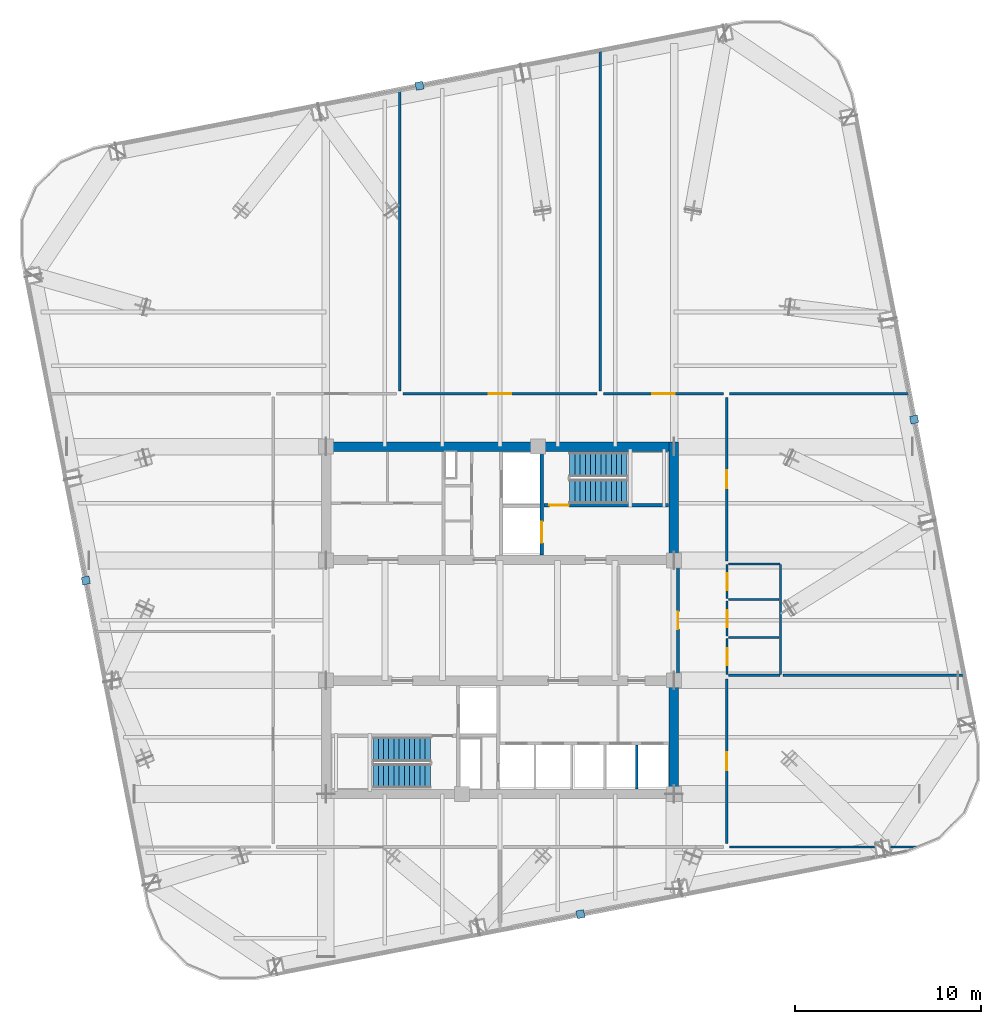
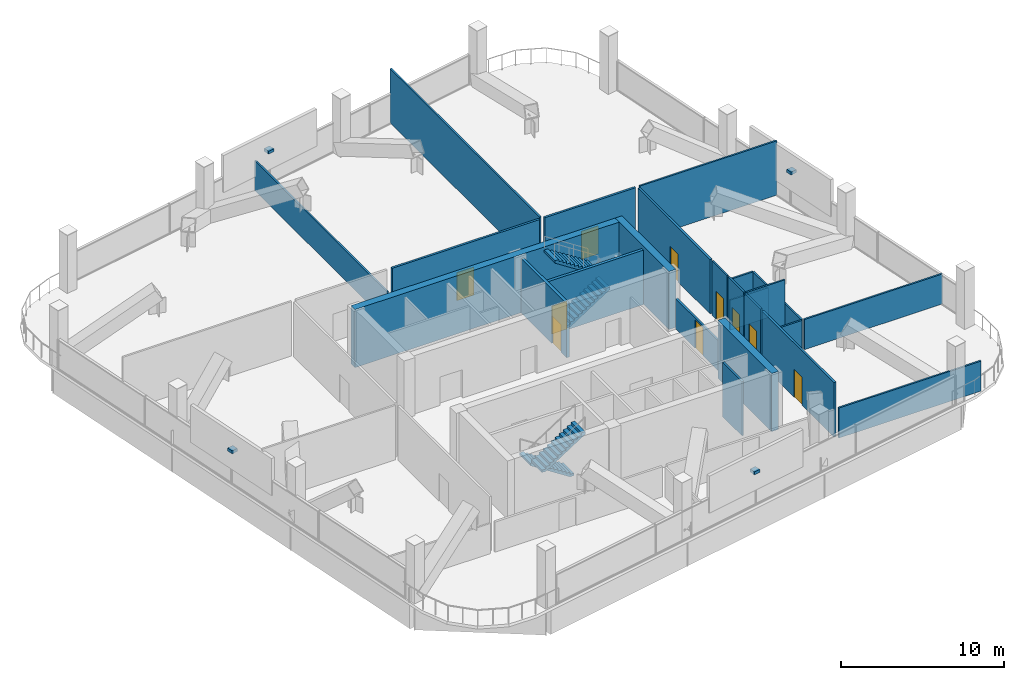
# One storey, part 22 of 26: 24 walls, 10 doors, 4 discrete accessories, 4 stair flights, 10 openings, 2 elements without a shape of their own.
"""IFC4 building model written with IfcOpenShell, lengths in metres."""

from ifc_helpers import new_model, si_unit, direction, frame, frame_2d, origin, origin_2d, place, context, subcontext, project, spatial, polyline, rectangle, outline, extrude, material, layer, layer_set, type_object, element, fill, aggregate, save


model = new_model("IFC4")

# Units and contexts
model_context = context("Model", 3, precision=1e-05, world=origin(), true_north=direction((0.0, 1.0)))
body_context = subcontext(model_context, "Body", "Model", "MODEL_VIEW")
ifc_project = project(units=[si_unit("LENGTHUNIT", "METRE"), si_unit("AREAUNIT", "SQUARE_METRE"), si_unit("VOLUMEUNIT", "CUBIC_METRE"), si_unit("PLANEANGLEUNIT", "RADIAN"), si_unit("MASSUNIT", "GRAM", prefix="KILO")], contexts=[model_context])

# Site, building, storey
site_placement = place(None, origin())
site = spatial("IfcSite", under=ifc_project, at=site_placement, CompositionType="ELEMENT")
building_placement = place(site_placement, origin())
building = spatial("IfcBuilding", under=site, at=building_placement, Name="Qhalaya Broadcast Tower", CompositionType="ELEMENT")
storey_placement = place(building_placement, frame((0.0, 0.0, 140.25)))
storey = spatial("IfcBuildingStorey", under=building, at=storey_placement, Name="L41", CompositionType="ELEMENT", Elevation=140.25)

# Wall, opening, door
ifc_material_1 = material(Name="Gypsum Acoustic Partition")
ifc_layer_1 = layer(ifc_material_1, 0.14990234375, Name="Gypsum Acoustic Partition")
ifc_layer_set_1 = layer_set([ifc_layer_1], Name="Gypsum Acoustic Partition")
wall_type_1 = type_object("IfcWallType", Name="Corridor & Tenancy Acoustic Partition 150", PredefinedType="PARTITIONING", material=ifc_layer_set_1)
wall_1_placement = place(storey_placement, frame((9.580078125, -2.320068359375, 0.0), z_axis=(0.0, 0.0, 1.0), x_axis=(0.0, 1.0, 0.0)))
wall_1 = element("IfcWall", 1, at=wall_1_placement, inside=storey, type_object=wall_type_1, Name="L41 Partition Wall W-ICHE", PredefinedType="PARTITIONING", context=body_context, shape_type="SweptSolid", body=[
    extrude(rectangle(XDim=5.840087890625, YDim=0.14990234375, at=frame_2d((2.919921875, 0.0))), origin(), (0.0, 0.0, 1.0), 2.25),
])
opening_1_placement = place(wall_1_placement, frame((2.445068359375, 0.0, 0.0)))
opening_1 = element("IfcOpeningElement", 2, at=opening_1_placement, cuts=wall_1, Name="Opening D10", PredefinedType="OPENING", context=body_context, shape_type="SweptSolid", body=[
    extrude(rectangle(XDim=0.949951171875, YDim=2.10009765625, at=frame_2d((0.47509765625, 1.050048828125))), frame((0.0, 0.0869140625, 0.0), z_axis=(0.0, -1.0, 0.0), x_axis=(1.0, 0.0, 0.0)), (0.0, 0.0, 1.0), 0.173828125),
])
ifc_material_2 = material(Name="Timber Veneer Acoustic Door", Category="wood")
door_type_1 = type_object("IfcDoorType", Name="Cellular Office & Edit Booth Door D10", OperationType="NOTDEFINED", PredefinedType="DOOR", material=ifc_material_2)
door_1_placement = place(opening_1_placement, origin())
door_1 = element("IfcDoor", 3, at=door_1_placement, inside=storey, type_object=door_type_1, Name="L41 Door D-ICHE", OperationType="SINGLE_SWING_RIGHT", OverallHeight=2.10009765625, OverallWidth=0.949951171875, PredefinedType="DOOR", context=body_context, shape_type="SweptSolid", body=[
    extrude(rectangle(XDim=0.949951171875, YDim=2.10009765625, at=frame_2d((0.47509765625, 1.050048828125))), frame((0.0, 0.02490234375, 0.0), z_axis=(0.0, -1.0, 0.0), x_axis=(1.0, 0.0, 0.0)), (0.0, 0.0, 1.0), 0.050048828125),
])
fill(opening_1, door_1)

wall_2_placement = place(storey_placement, frame((-5.219970703125, 12.800048828125, 0.0), z_axis=(0.0, 0.0, 1.0), x_axis=(1.0, 0.0, 0.0)))
wall_2 = element("IfcWall", 4, at=wall_2_placement, inside=storey, type_object=wall_type_1, Name="L41 Partition Wall W-COR-02", PredefinedType="PARTITIONING", context=body_context, shape_type="SweptSolid", body=[
    extrude(rectangle(XDim=10.43994140625, YDim=0.14990234375, at=frame_2d((5.219970703125, 0.0))), origin(), (0.0, 0.0, 1.0), 4.070068359375),
])
opening_2_placement = place(wall_2_placement, frame((4.6201171875, 0.0, 0.0)))
opening_2 = element("IfcOpeningElement", 5, at=opening_2_placement, cuts=wall_2, Name="Opening D11", PredefinedType="OPENING", context=body_context, shape_type="SweptSolid", body=[
    extrude(rectangle(XDim=1.199951171875, YDim=2.10009765625, at=frame_2d((0.60009765625, 1.050048828125))), frame((0.0, 0.0869140625, 0.0), z_axis=(0.0, -1.0, 0.0), x_axis=(1.0, 0.0, 0.0)), (0.0, 0.0, 1.0), 0.173828125),
])
ifc_material_3 = material(Name="Anodised Aluminium Glazed Door", Category="aluminium")
door_type_2 = type_object("IfcDoorType", Name="Conference, Boardroom & Studio Control Door D11", OperationType="NOTDEFINED", PredefinedType="DOOR", material=ifc_material_3)
door_2_placement = place(opening_2_placement, origin())
door_2 = element("IfcDoor", 6, at=door_2_placement, inside=storey, type_object=door_type_2, Name="L41 Door D-RM02", OperationType="SINGLE_SWING_RIGHT", OverallHeight=2.10009765625, OverallWidth=1.199951171875, PredefinedType="DOOR", context=body_context, shape_type="SweptSolid", body=[
    extrude(rectangle(XDim=1.199951171875, YDim=2.10009765625, at=frame_2d((0.60009765625, 1.050048828125))), frame((0.0, 0.02490234375, 0.0), z_axis=(0.0, -1.0, 0.0), x_axis=(1.0, 0.0, 0.0)), (0.0, 0.0, 1.0), 0.050048828125),
])
fill(opening_2, door_2)

wall_3_placement = place(storey_placement, frame((5.580078125, 12.800048828125, 0.0), z_axis=(0.0, 0.0, 1.0), x_axis=(1.0, 0.0, 0.0)))
wall_3 = element("IfcWall", 7, at=wall_3_placement, inside=storey, type_object=wall_type_1, Name="L41 Partition Wall W-COR-03", PredefinedType="PARTITIONING", context=body_context, shape_type="SweptSolid", body=[
    extrude(rectangle(XDim=6.43994140625, YDim=0.14990234375, at=frame_2d((3.219970703125, 0.0))), origin(), (0.0, 0.0, 1.0), 4.070068359375),
])
opening_3_placement = place(wall_3_placement, frame((2.6201171875, 0.0, 0.0)))
opening_3 = element("IfcOpeningElement", 8, at=opening_3_placement, cuts=wall_3, Name="Opening D11", PredefinedType="OPENING", context=body_context, shape_type="SweptSolid", body=[
    extrude(rectangle(XDim=1.199951171875, YDim=2.10009765625, at=frame_2d((0.60009765625, 1.050048828125))), frame((0.0, 0.0869140625, 0.0), z_axis=(0.0, -1.0, 0.0), x_axis=(1.0, 0.0, 0.0)), (0.0, 0.0, 1.0), 0.173828125),
])
door_3_placement = place(opening_3_placement, origin())
door_3 = element("IfcDoor", 9, at=door_3_placement, inside=storey, type_object=door_type_2, Name="L41 Door D-RM03", OperationType="SINGLE_SWING_LEFT", OverallHeight=2.10009765625, OverallWidth=1.199951171875, PredefinedType="DOOR", context=body_context, shape_type="SweptSolid", body=[
    extrude(rectangle(XDim=1.199951171875, YDim=2.10009765625, at=frame_2d((0.60009765625, 1.050048828125))), frame((0.0, 0.02490234375, 0.0), z_axis=(0.0, -1.0, 0.0), x_axis=(1.0, 0.0, 0.0)), (0.0, 0.0, 1.0), 0.050048828125),
])
fill(opening_3, door_3)

wall_4_placement = place(storey_placement, frame((12.199951171875, -11.39990234375, 0.0), z_axis=(0.0, 0.0, 1.0), x_axis=(0.0, 1.0, 0.0)))
wall_4 = element("IfcWall", 10, at=wall_4_placement, inside=storey, type_object=wall_type_1, Name="L41 Partition Wall W-COR-08", PredefinedType="PARTITIONING", context=body_context, shape_type="SweptSolid", body=[
    extrude(rectangle(XDim=8.83984375, YDim=0.14990234375, at=frame_2d((4.419921875, 0.0))), origin(), (0.0, 0.0, 1.0), 4.070068359375),
])
opening_4_placement = place(wall_4_placement, frame((3.945068359375, 0.0, 0.0)))
opening_4 = element("IfcOpeningElement", 11, at=opening_4_placement, cuts=wall_4, Name="Opening D10", PredefinedType="OPENING", context=body_context, shape_type="SweptSolid", body=[
    extrude(rectangle(XDim=0.949951171875, YDim=2.10009765625, at=frame_2d((0.47509765625, 1.050048828125))), frame((0.0, 0.0869140625, 0.0), z_axis=(0.0, -1.0, 0.0), x_axis=(1.0, 0.0, 0.0)), (0.0, 0.0, 1.0), 0.173828125),
])
door_4_placement = place(opening_4_placement, origin())
door_4 = element("IfcDoor", 12, at=door_4_placement, inside=storey, type_object=door_type_1, Name="L41 Door D-RM08", OperationType="SINGLE_SWING_RIGHT", OverallHeight=2.10009765625, OverallWidth=0.949951171875, PredefinedType="DOOR", context=body_context, shape_type="SweptSolid", body=[
    extrude(rectangle(XDim=0.949951171875, YDim=2.10009765625, at=frame_2d((0.47509765625, 1.050048828125))), frame((0.0, 0.02490234375, 0.0), z_axis=(0.0, -1.0, 0.0), x_axis=(1.0, 0.0, 0.0)), (0.0, 0.0, 1.0), 0.050048828125),
])
fill(opening_4, door_4)

wall_5_placement = place(storey_placement, frame((12.199951171875, 3.800048828125, 0.0), z_axis=(0.0, 0.0, 1.0), x_axis=(0.0, 1.0, 0.0)))
wall_5 = element("IfcWall", 13, at=wall_5_placement, inside=storey, type_object=wall_type_1, Name="L41 Partition Wall W-COR-09", PredefinedType="PARTITIONING", context=body_context, shape_type="SweptSolid", body=[
    extrude(rectangle(XDim=8.800048828125, YDim=0.14990234375, at=frame_2d((4.39990234375, 0.0))), origin(), (0.0, 0.0, 1.0), 4.070068359375),
])
opening_5_placement = place(wall_5_placement, frame((3.925048828125, 0.0, 0.0)))
opening_5 = element("IfcOpeningElement", 14, at=opening_5_placement, cuts=wall_5, Name="Opening D10", PredefinedType="OPENING", context=body_context, shape_type="SweptSolid", body=[
    extrude(rectangle(XDim=0.949951171875, YDim=2.10009765625, at=frame_2d((0.47509765625, 1.050048828125))), frame((0.0, 0.0869140625, 0.0), z_axis=(0.0, -1.0, 0.0), x_axis=(1.0, 0.0, 0.0)), (0.0, 0.0, 1.0), 0.173828125),
])
door_5_placement = place(opening_5_placement, origin())
door_5 = element("IfcDoor", 15, at=door_5_placement, inside=storey, type_object=door_type_1, Name="L41 Door D-RM09", OperationType="SINGLE_SWING_LEFT", OverallHeight=2.10009765625, OverallWidth=0.949951171875, PredefinedType="DOOR", context=body_context, shape_type="SweptSolid", body=[
    extrude(rectangle(XDim=0.949951171875, YDim=2.10009765625, at=frame_2d((0.47509765625, 1.050048828125))), frame((0.0, 0.02490234375, 0.0), z_axis=(0.0, -1.0, 0.0), x_axis=(1.0, 0.0, 0.0)), (0.0, 0.0, 1.0), 0.050048828125),
])
fill(opening_5, door_5)

ifc_material_4 = material(Name="Concrete C50/60", Category="concrete")
ifc_layer_2 = layer(ifc_material_4, 0.199951171875, Name="Concrete C50/60")
ifc_layer_set_2 = layer_set([ifc_layer_2], Name="Concrete C50/60")
wall_type_2 = type_object("IfcWallType", Name="Load-Bearing Stair Shaft Wall 200", PredefinedType="SHEAR", material=ifc_layer_set_2)
wall_6_placement = place(storey_placement, frame((2.360107421875, 6.804931640625, 0.0), z_axis=(0.0, 0.0, 1.0), x_axis=(1.0, 0.0, 0.0)))
wall_6 = element("IfcWall", 16, at=wall_6_placement, inside=storey, type_object=wall_type_2, Name="L41 Stair Core Shear Wall NCW-ST1", PredefinedType="SHEAR", context=body_context, shape_type="SweptSolid", body=[
    extrude(rectangle(XDim=6.719970703125, YDim=0.199951171875, at=frame_2d((3.35986328125, 0.0))), origin(), (0.0, 0.0, 1.0), 4.070068359375),
])
opening_6_placement = place(wall_6_placement, frame((0.300048828125, 0.0, 0.0)))
opening_6 = element("IfcOpeningElement", 17, at=opening_6_placement, cuts=wall_6, Name="Opening D03", PredefinedType="OPENING", context=body_context, shape_type="SweptSolid", body=[
    extrude(rectangle(XDim=1.050048828125, YDim=2.080078125, at=frame_2d((0.52490234375, 1.0400390625))), frame((0.0, 0.112060546875, 0.0), z_axis=(0.0, -1.0, 0.0), x_axis=(1.0, 0.0, 0.0)), (0.0, 0.0, 1.0), 0.223876953125),
])
ifc_material_5 = material(Name="Fire-Rated Steel Door", Category="steel")
door_type_3 = type_object("IfcDoorType", Name="Core Stair Protected Fire Door D03", OperationType="NOTDEFINED", PredefinedType="DOOR", material=ifc_material_5)
door_6_placement = place(opening_6_placement, origin())
door_6 = element("IfcDoor", 18, at=door_6_placement, inside=storey, type_object=door_type_3, Name="L41 Door D-NST1", OperationType="SINGLE_SWING_LEFT", OverallHeight=2.080078125, OverallWidth=1.050048828125, PredefinedType="DOOR", context=body_context, shape_type="SweptSolid", body=[
    extrude(rectangle(XDim=1.050048828125, YDim=2.080078125, at=frame_2d((0.52490234375, 1.0400390625))), frame((0.0, 0.02490234375, 0.0), z_axis=(0.0, -1.0, 0.0), x_axis=(1.0, 0.0, 0.0)), (0.0, 0.0, 1.0), 0.050048828125),
])
fill(opening_6, door_6)

wall_7_placement = place(storey_placement, frame((2.25, 4.1201171875, 0.0), z_axis=(0.0, 0.0, 1.0), x_axis=(0.0, 1.0, 0.0)))
wall_7 = element("IfcWall", 19, at=wall_7_placement, inside=storey, type_object=wall_type_2, Name="L41 Stair Core Shear Wall NCW-FF", PredefinedType="SHEAR", context=body_context, shape_type="SweptSolid", body=[
    extrude(rectangle(XDim=5.559814453125, YDim=0.199951171875, at=frame_2d((2.77978515625, 0.0))), origin(), (0.0, 0.0, 1.0), 4.070068359375),
])
opening_7_placement = place(wall_7_placement, frame((0.64990234375, 0.0, 0.0)))
opening_7 = element("IfcOpeningElement", 20, at=opening_7_placement, cuts=wall_7, Name="Opening LD2", PredefinedType="OPENING", context=body_context, shape_type="SweptSolid", body=[
    extrude(rectangle(XDim=1.14990234375, YDim=2.080078125, at=frame_2d((0.574951171875, 1.0400390625))), frame((0.0, 0.112060546875, 0.0), z_axis=(0.0, -1.0, 0.0), x_axis=(1.0, 0.0, 0.0)), (0.0, 0.0, 1.0), 0.223876953125),
])
ifc_material_6 = material(Name="Brushed Stainless Steel Lift Door", Category="steel")
door_type_4 = type_object("IfcDoorType", Name="Firefighting Lift Sliding Landing Door LD2", OperationType="DOUBLE_DOOR_SLIDING", PredefinedType="DOOR", material=ifc_material_6)
door_7_placement = place(opening_7_placement, origin())
door_7 = element("IfcDoor", 21, at=door_7_placement, inside=storey, type_object=door_type_4, Name="L41 Door LD-FF1", OperationType="DOUBLE_DOOR_SLIDING", OverallHeight=2.080078125, OverallWidth=1.14990234375, PredefinedType="DOOR", context=body_context, shape_type="SweptSolid", body=[
    extrude(rectangle(XDim=1.14990234375, YDim=2.080078125, at=frame_2d((0.574951171875, 1.0400390625))), frame((0.0, 0.02490234375, 0.0), z_axis=(0.0, -1.0, 0.0), x_axis=(1.0, 0.0, 0.0)), (0.0, 0.0, 1.0), 0.050048828125),
])
fill(opening_7, door_7)

# Walls
ifc_layer_3 = layer(ifc_material_4, 0.5, Name="Concrete C50/60")
ifc_layer_set_3 = layer_set([ifc_layer_3], Name="Concrete C50/60")
wall_type_3 = type_object("IfcWallType", Name="Mid Split-Core Shear Wall 500", PredefinedType="SHEAR", material=ifc_layer_set_3)
wall_8_placement = place(storey_placement, frame((-9.60009765625, 9.949951171875, 0.0), z_axis=(0.0, 0.0, 1.0), x_axis=(1.0, 0.0, 0.0)))
element("IfcWall", 22, at=wall_8_placement, inside=storey, type_object=wall_type_3, Name="L41 Split-Core Shear Wall CW-NN", PredefinedType="SHEAR", context=body_context, shape_type="SweptSolid", body=[
    extrude(rectangle(XDim=19.2001953125, YDim=0.5, at=frame_2d((9.60009765625, 0.0))), origin(), (0.0, 0.0, 1.0), 4.35009765625),
])
wall_9_placement = place(storey_placement, frame((9.35009765625, 3.60009765625, 0.0), z_axis=(0.0, 0.0, 1.0), x_axis=(0.0, 1.0, 0.0)))
element("IfcWall", 23, at=wall_9_placement, inside=storey, type_object=wall_type_3, Name="L41 Split-Core Shear Wall CW-NE", PredefinedType="SHEAR", context=body_context, shape_type="SweptSolid", body=[
    extrude(rectangle(XDim=6.599853515625, YDim=0.5, at=frame_2d((3.2998046875, 0.0))), origin(), (0.0, 0.0, 1.0), 4.35009765625),
])
wall_10_placement = place(storey_placement, frame((9.35009765625, -9.0, 0.0), z_axis=(0.0, 0.0, 1.0), x_axis=(0.0, 1.0, 0.0)))
element("IfcWall", 24, at=wall_10_placement, inside=storey, type_object=wall_type_3, Name="L41 Split-Core Shear Wall CW-SE", PredefinedType="SHEAR", context=body_context, shape_type="SweptSolid", body=[
    extrude(rectangle(XDim=6.60009765625, YDim=0.5, at=frame_2d((3.300048828125, 0.0))), origin(), (0.0, 0.0, 1.0), 4.35009765625),
])
ifc_layer_4 = layer(ifc_material_1, 0.1201171875, Name="Gypsum Acoustic Partition")
ifc_layer_set_4 = layer_set([ifc_layer_4], Name="Gypsum Acoustic Partition")
wall_type_4 = type_object("IfcWallType", Name="Office, Booth & Sanitary Partition 120", PredefinedType="PARTITIONING", material=ifc_layer_set_4)
wall_11_placement = place(storey_placement, frame((7.360107421875, -8.47998046875, 0.0), z_axis=(0.0, 0.0, 1.0), x_axis=(0.0, 1.0, 0.0)))
element("IfcWall", 25, at=wall_11_placement, inside=storey, type_object=wall_type_4, Name="L41 Partition Wall SCW-HD7", PredefinedType="PARTITIONING", context=body_context, shape_type="SweptSolid", body=[
    extrude(rectangle(XDim=2.3798828125, YDim=0.1201171875, at=frame_2d((1.18994140625, 0.0))), origin(), (0.0, 0.0, 1.0), 4.070068359375),
])

# Wall, opening, door
wall_12_placement = place(storey_placement, frame((12.219970703125, -2.320068359375, 0.0), z_axis=(0.0, 0.0, 1.0), x_axis=(0.0, 1.0, 0.0)))
wall_12 = element("IfcWall", 26, at=wall_12_placement, inside=storey, type_object=wall_type_4, Name="L41 Partition Wall W-WCWA", PredefinedType="PARTITIONING", context=body_context, shape_type="SweptSolid", body=[
    extrude(rectangle(XDim=1.940185546875, YDim=0.1201171875, at=frame_2d((0.97021484375, 0.0))), origin(), (0.0, 0.0, 1.0), 4.070068359375),
])
opening_8_placement = place(wall_12_placement, frame((0.4951171875, 0.0, 0.0)))
opening_8 = element("IfcOpeningElement", 27, at=opening_8_placement, cuts=wall_12, Name="Opening D12", PredefinedType="OPENING", context=body_context, shape_type="SweptSolid", body=[
    extrude(rectangle(XDim=0.919921875, YDim=2.10009765625, at=frame_2d((0.4599609375, 1.050048828125))), frame((0.0, 0.072021484375, 0.0), z_axis=(0.0, -1.0, 0.0), x_axis=(1.0, 0.0, 0.0)), (0.0, 0.0, 1.0), 0.14404296875),
])
door_type_5 = type_object("IfcDoorType", Name="Accessible WC & Restroom Door D12", OperationType="NOTDEFINED", PredefinedType="DOOR", material=ifc_material_2)
door_8_placement = place(opening_8_placement, origin())
door_8 = element("IfcDoor", 28, at=door_8_placement, inside=storey, type_object=door_type_5, Name="L41 Door D-WCA", OperationType="SINGLE_SWING_LEFT", OverallHeight=2.10009765625, OverallWidth=0.919921875, PredefinedType="DOOR", context=body_context, shape_type="SweptSolid", body=[
    extrude(rectangle(XDim=0.919921875, YDim=2.10009765625, at=frame_2d((0.4599609375, 1.050048828125))), frame((0.0, 0.02490234375, 0.0), z_axis=(0.0, -1.0, 0.0), x_axis=(1.0, 0.0, 0.0)), (0.0, 0.0, 1.0), 0.050048828125),
])
fill(opening_8, door_8)

wall_13_placement = place(storey_placement, frame((12.219970703125, -0.25, 0.0), z_axis=(0.0, 0.0, 1.0), x_axis=(0.0, 1.0, 0.0)))
wall_13 = element("IfcWall", 29, at=wall_13_placement, inside=storey, type_object=wall_type_4, Name="L41 Partition Wall W-WCWM", PredefinedType="PARTITIONING", context=body_context, shape_type="SweptSolid", body=[
    extrude(rectangle(XDim=1.89990234375, YDim=0.1201171875, at=frame_2d((0.949951171875, 0.0))), origin(), (0.0, 0.0, 1.0), 4.070068359375),
])
opening_9_placement = place(wall_13_placement, frame((0.47509765625, 0.0, 0.0)))
opening_9 = element("IfcOpeningElement", 30, at=opening_9_placement, cuts=wall_13, Name="Opening D12", PredefinedType="OPENING", context=body_context, shape_type="SweptSolid", body=[
    extrude(rectangle(XDim=0.919921875, YDim=2.10009765625, at=frame_2d((0.4599609375, 1.050048828125))), frame((0.0, 0.072021484375, 0.0), z_axis=(0.0, -1.0, 0.0), x_axis=(1.0, 0.0, 0.0)), (0.0, 0.0, 1.0), 0.14404296875),
])
door_9_placement = place(opening_9_placement, origin())
door_9 = element("IfcDoor", 31, at=door_9_placement, inside=storey, type_object=door_type_5, Name="L41 Door D-WCM", OperationType="SINGLE_SWING_RIGHT", OverallHeight=2.10009765625, OverallWidth=0.919921875, PredefinedType="DOOR", context=body_context, shape_type="SweptSolid", body=[
    extrude(rectangle(XDim=0.919921875, YDim=2.10009765625, at=frame_2d((0.4599609375, 1.050048828125))), frame((0.0, 0.02490234375, 0.0), z_axis=(0.0, -1.0, 0.0), x_axis=(1.0, 0.0, 0.0)), (0.0, 0.0, 1.0), 0.050048828125),
])
fill(opening_9, door_9)

wall_14_placement = place(storey_placement, frame((12.219970703125, 1.780029296875, 0.0), z_axis=(0.0, 0.0, 1.0), x_axis=(0.0, 1.0, 0.0)))
wall_14 = element("IfcWall", 32, at=wall_14_placement, inside=storey, type_object=wall_type_4, Name="L41 Partition Wall W-WCWF", PredefinedType="PARTITIONING", context=body_context, shape_type="SweptSolid", body=[
    extrude(rectangle(XDim=1.830078125, YDim=0.1201171875, at=frame_2d((0.9150390625, 0.0))), origin(), (0.0, 0.0, 1.0), 4.070068359375),
])
opening_10_placement = place(wall_14_placement, frame((0.43994140625, 0.0, 0.0)))
opening_10 = element("IfcOpeningElement", 33, at=opening_10_placement, cuts=wall_14, Name="Opening D12", PredefinedType="OPENING", context=body_context, shape_type="SweptSolid", body=[
    extrude(rectangle(XDim=0.919921875, YDim=2.10009765625, at=frame_2d((0.4599609375, 1.050048828125))), frame((0.0, 0.072021484375, 0.0), z_axis=(0.0, -1.0, 0.0), x_axis=(1.0, 0.0, 0.0)), (0.0, 0.0, 1.0), 0.14404296875),
])
door_10_placement = place(opening_10_placement, origin())
door_10 = element("IfcDoor", 34, at=door_10_placement, inside=storey, type_object=door_type_5, Name="L41 Door D-WCF", OperationType="SINGLE_SWING_LEFT", OverallHeight=2.10009765625, OverallWidth=0.919921875, PredefinedType="DOOR", context=body_context, shape_type="SweptSolid", body=[
    extrude(rectangle(XDim=0.919921875, YDim=2.10009765625, at=frame_2d((0.4599609375, 1.050048828125))), frame((0.0, 0.02490234375, 0.0), z_axis=(0.0, -1.0, 0.0), x_axis=(1.0, 0.0, 0.0)), (0.0, 0.0, 1.0), 0.050048828125),
])
fill(opening_10, door_10)

# Walls
wall_15_placement = place(storey_placement, frame((15.10009765625, -2.320068359375, 0.0), z_axis=(0.0, 0.0, 1.0), x_axis=(0.0, 1.0, 0.0)))
element("IfcWall", 35, at=wall_15_placement, inside=storey, type_object=wall_type_4, Name="L41 Partition Wall W-WCE", PredefinedType="PARTITIONING", context=body_context, shape_type="SweptSolid", body=[
    extrude(rectangle(XDim=5.93017578125, YDim=0.1201171875, at=frame_2d((2.965087890625, 0.0))), origin(), (0.0, 0.0, 1.0), 2.25),
])
for number, where, z_axis, x_axis, name in (
    (36, (12.31005859375, -2.35009765625, 0.0), (0.0, 0.0, 1.0), (1.0, 0.0, 0.0), "L41 Partition Wall W-WCS"),
    (37, (12.31005859375, 3.639892578125, 0.0), (0.0, 0.0, 1.0), (1.0, 0.0, 0.0), "L41 Partition Wall W-WCN"),
):
    element("IfcWall", number, at=place(storey_placement, frame(where, z_axis=z_axis, x_axis=x_axis)), inside=storey, type_object=wall_type_4, Name=name, PredefinedType="PARTITIONING", context=body_context, shape_type="SweptSolid", body=[
        extrude(rectangle(XDim=2.760009765625, YDim=0.1201171875, at=frame_2d((1.3798828125, 0.0))), origin(), (0.0, 0.0, 1.0), 2.25),
    ])
wall_16_placement = place(storey_placement, frame((12.31005859375, -0.320068359375, 0.0), z_axis=(0.0, 0.0, 1.0), x_axis=(1.0, 0.0, 0.0)))
element("IfcWall", 38, at=wall_16_placement, inside=storey, type_object=wall_type_4, Name="L41 Partition Wall W-WCD1", PredefinedType="PARTITIONING", context=body_context, shape_type="SweptSolid", body=[
    extrude(rectangle(XDim=2.719970703125, YDim=0.1201171875, at=frame_2d((1.35986328125, 0.0))), origin(), (0.0, 0.0, 1.0), 4.070068359375),
])
wall_17_placement = place(storey_placement, frame((12.31005859375, 1.719970703125, 0.0), z_axis=(0.0, 0.0, 1.0), x_axis=(1.0, 0.0, 0.0)))
element("IfcWall", 39, at=wall_17_placement, inside=storey, type_object=wall_type_4, Name="L41 Partition Wall W-WCD2", PredefinedType="PARTITIONING", context=body_context, shape_type="SweptSolid", body=[
    extrude(rectangle(XDim=2.719970703125, YDim=0.1201171875, at=frame_2d((1.35986328125, 0.0))), origin(), (0.0, 0.0, 1.0), 2.25),
])
wall_18_placement = place(storey_placement, frame((12.340087890625, 12.800048828125, 0.0), z_axis=(0.0, 0.0, 1.0), x_axis=(1.0, 0.0, 0.0)))
element("IfcWall", 40, at=wall_18_placement, inside=storey, type_object=wall_type_4, Name="L41 Partition Wall W-BNDE1", PredefinedType="PARTITIONING", context=body_context, shape_type="SweptSolid", body=[
    extrude(rectangle(XDim=9.703369140625, YDim=0.1201171875, at=frame_2d((4.8515625, 0.0))), origin(), (0.0, 0.0, 1.0), 4.070068359375),
])
wall_19_placement = place(storey_placement, frame((12.340087890625, -11.60009765625, 0.0), z_axis=(0.0, 0.0, 1.0), x_axis=(1.0, 0.0, 0.0)))
element("IfcWall", 41, at=wall_19_placement, inside=storey, type_object=wall_type_4, Name="L41 Partition Wall W-BNDE2", PredefinedType="PARTITIONING", context=body_context, shape_type="SweptSolid", body=[
    extrude(rectangle(XDim=10.06640625, YDim=0.1201171875, at=frame_2d((5.033203125, 0.0))), origin(), (0.0, 0.0, 1.0), 2.25),
])
wall_20_placement = place(storey_placement, frame((-5.39990234375, 12.9599609375, 0.0), z_axis=(0.0, 0.0, 1.0), x_axis=(0.0, 1.0, 0.0)))
element("IfcWall", 42, at=wall_20_placement, inside=storey, type_object=wall_type_4, Name="L41 Partition Wall W-DIVN1", PredefinedType="PARTITIONING", context=body_context, shape_type="SweptSolid", body=[
    extrude(rectangle(XDim=16.225830078125, YDim=0.1201171875, at=frame_2d((8.11279296875, 0.0))), origin(), (0.0, 0.0, 1.0), 2.25),
])
wall_21_placement = place(storey_placement, frame((5.39990234375, 12.9599609375, 0.0), z_axis=(0.0, 0.0, 1.0), x_axis=(0.0, 1.0, 0.0)))
element("IfcWall", 43, at=wall_21_placement, inside=storey, type_object=wall_type_4, Name="L41 Partition Wall W-DIVN2", PredefinedType="PARTITIONING", context=body_context, shape_type="SweptSolid", body=[
    extrude(rectangle(XDim=18.3251953125, YDim=0.1201171875, at=frame_2d((9.16259765625, 0.0))), origin(), (0.0, 0.0, 1.0), 4.070068359375),
])
wall_22_placement = place(storey_placement, frame((15.239990234375, -2.35009765625, 0.0), z_axis=(0.0, 0.0, 1.0), x_axis=(1.0, 0.0, 0.0)))
element("IfcWall", 44, at=wall_22_placement, inside=storey, type_object=wall_type_4, Name="L41 Partition Wall W-DIVE-WC", PredefinedType="PARTITIONING", context=body_context, shape_type="SweptSolid", body=[
    extrude(rectangle(XDim=9.748291015625, YDim=0.1201171875, at=frame_2d((4.8740234375, 0.0))), origin(), (0.0, 0.0, 1.0), 2.25),
])

# Stair, stair flights
ifc_material_7 = material(Name="Concrete C40/50", Category="concrete")
stair_type = type_object("IfcStairType", Name="Protected Dogleg Core Stair 4200", PredefinedType="TWO_STRAIGHT_RUN_STAIR", material=ifc_material_7)
stair_1_placement = place(storey_placement, origin())
stair_1 = element("IfcStair", 45, at=stair_1_placement, inside=storey, type_object=stair_type, Name="L41 North Core Exit Stair ST-1", PredefinedType="TWO_STRAIGHT_RUN_STAIR")
ifc_material_8 = material(Name="Precast Concrete C40/50", Category="concrete")
stair_flight_type = type_object("IfcStairFlightType", Name="Precast Concrete Stair Flight 4200", PredefinedType="STRAIGHT", material=ifc_material_8)
stair_flight_1_placement = place(storey_placement, frame((3.75, 7.5400390625, 0.0), z_axis=(0.0, 0.0, 1.0), x_axis=(1.0, 0.0, 0.0)))
stair_flight_1 = element("IfcStairFlight", 46, at=stair_flight_1_placement, type_object=stair_flight_type, Name="ST-1 flight 1", NumberOfRisers=12, NumberOfTreads=11, PredefinedType="STRAIGHT", RiserHeight=0.18125, TreadLength=0.28, context=body_context, shape_type="SweptSolid", body=[
    extrude(outline(polyline([(0.0, 0.0), (0.0, 0.18115234375), (0.280029296875, 0.18115234375), (0.280029296875, 0.362548828125), (0.56005859375, 0.362548828125), (0.56005859375, 0.543701171875), (0.840087890625, 0.543701171875), (0.840087890625, 0.72509765625), (1.1201171875, 0.72509765625), (1.1201171875, 0.90625), (1.39990234375, 0.90625), (1.39990234375, 1.08740234375), (1.679931640625, 1.08740234375), (1.679931640625, 1.268798828125), (1.9599609375, 1.268798828125), (1.9599609375, 1.449951171875), (2.239990234375, 1.449951171875), (2.239990234375, 1.63134765625), (2.52001953125, 1.63134765625), (2.52001953125, 1.8125), (2.800048828125, 1.8125), (2.800048828125, 1.99365234375), (3.080078125, 1.99365234375), (3.080078125, 2.175048828125), (3.080078125, 1.815185546875), (0.27587890625, 0.0), (0.0, 0.0)])), frame((0.0, 0.66015625, 0.0), z_axis=(0.0, -1.0, 0.0), x_axis=(1.0, 0.0, 0.0)), (0.0, 0.0, 1.0), 1.320068359375),
])
stair_flight_2_placement = place(storey_placement, frame((6.830078125, 8.97998046875, 2.175048828125), z_axis=(0.0, 0.0, 1.0), x_axis=(-1.0, 0.0, 0.0)))
stair_flight_2 = element("IfcStairFlight", 47, at=stair_flight_2_placement, type_object=stair_flight_type, Name="ST-1 flight 2", NumberOfRisers=12, NumberOfTreads=11, PredefinedType="STRAIGHT", RiserHeight=0.18125, TreadLength=0.28, context=body_context, shape_type="SweptSolid", body=[
    extrude(outline(polyline([(0.0, 0.0), (0.0, 0.18115234375), (0.280029296875, 0.18115234375), (0.280029296875, 0.362548828125), (0.56005859375, 0.362548828125), (0.56005859375, 0.543701171875), (0.840087890625, 0.543701171875), (0.840087890625, 0.72509765625), (1.1201171875, 0.72509765625), (1.1201171875, 0.90625), (1.39990234375, 0.90625), (1.39990234375, 1.08740234375), (1.679931640625, 1.08740234375), (1.679931640625, 1.268798828125), (1.9599609375, 1.268798828125), (1.9599609375, 1.449951171875), (2.239990234375, 1.449951171875), (2.239990234375, 1.63134765625), (2.52001953125, 1.63134765625), (2.52001953125, 1.8125), (2.800048828125, 1.8125), (2.800048828125, 1.99365234375), (3.080078125, 1.99365234375), (3.080078125, 2.175048828125), (3.080078125, 1.815185546875), (0.27587890625, 0.0), (0.0, 0.0)])), frame((0.0, 0.66015625, 0.0), z_axis=(0.0, -1.0, 0.0), x_axis=(1.0, 0.0, 0.0)), (0.0, 0.0, 1.0), 1.320068359375),
])
aggregate(stair_1, [stair_flight_1, stair_flight_2])

stair_2_placement = place(storey_placement, origin())
stair_2 = element("IfcStair", 48, at=stair_2_placement, inside=storey, type_object=stair_type, Name="L41 South Core Exit Stair ST-2", PredefinedType="TWO_STRAIGHT_RUN_STAIR")
stair_flight_3_placement = place(storey_placement, frame((-3.75, -6.340087890625, 0.0), z_axis=(0.0, 0.0, 1.0), x_axis=(-1.0, 0.0, 0.0)))
stair_flight_3 = element("IfcStairFlight", 49, at=stair_flight_3_placement, type_object=stair_flight_type, Name="ST-2 flight 1", NumberOfRisers=12, NumberOfTreads=11, PredefinedType="STRAIGHT", RiserHeight=0.18125, TreadLength=0.28, context=body_context, shape_type="SweptSolid", body=[
    extrude(outline(polyline([(0.0, 0.0), (0.0, 0.18115234375), (0.280029296875, 0.18115234375), (0.280029296875, 0.362548828125), (0.56005859375, 0.362548828125), (0.56005859375, 0.543701171875), (0.840087890625, 0.543701171875), (0.840087890625, 0.72509765625), (1.1201171875, 0.72509765625), (1.1201171875, 0.90625), (1.39990234375, 0.90625), (1.39990234375, 1.08740234375), (1.679931640625, 1.08740234375), (1.679931640625, 1.268798828125), (1.9599609375, 1.268798828125), (1.9599609375, 1.449951171875), (2.239990234375, 1.449951171875), (2.239990234375, 1.63134765625), (2.52001953125, 1.63134765625), (2.52001953125, 1.8125), (2.800048828125, 1.8125), (2.800048828125, 1.99365234375), (3.080078125, 1.99365234375), (3.080078125, 2.175048828125), (3.080078125, 1.815185546875), (0.27587890625, 0.0), (0.0, 0.0)])), frame((0.0, 0.66015625, 0.0), z_axis=(0.0, -1.0, 0.0), x_axis=(1.0, 0.0, 0.0)), (0.0, 0.0, 1.0), 1.320068359375),
])
stair_flight_4_placement = place(storey_placement, frame((-6.830078125, -7.780029296875, 2.175048828125), z_axis=(0.0, 0.0, 1.0), x_axis=(1.0, 0.0, 0.0)))
stair_flight_4 = element("IfcStairFlight", 50, at=stair_flight_4_placement, type_object=stair_flight_type, Name="ST-2 flight 2", NumberOfRisers=12, NumberOfTreads=11, PredefinedType="STRAIGHT", RiserHeight=0.18125, TreadLength=0.28, context=body_context, shape_type="SweptSolid", body=[
    extrude(outline(polyline([(0.0, 0.0), (0.0, 0.18115234375), (0.280029296875, 0.18115234375), (0.280029296875, 0.362548828125), (0.56005859375, 0.362548828125), (0.56005859375, 0.543701171875), (0.840087890625, 0.543701171875), (0.840087890625, 0.72509765625), (1.1201171875, 0.72509765625), (1.1201171875, 0.90625), (1.39990234375, 0.90625), (1.39990234375, 1.08740234375), (1.679931640625, 1.08740234375), (1.679931640625, 1.268798828125), (1.9599609375, 1.268798828125), (1.9599609375, 1.449951171875), (2.239990234375, 1.449951171875), (2.239990234375, 1.63134765625), (2.52001953125, 1.63134765625), (2.52001953125, 1.8125), (2.800048828125, 1.8125), (2.800048828125, 1.99365234375), (3.080078125, 1.99365234375), (3.080078125, 2.175048828125), (3.080078125, 1.815185546875), (0.27587890625, 0.0), (0.0, 0.0)])), frame((0.0, 0.66015625, 0.0), z_axis=(0.0, -1.0, 0.0), x_axis=(1.0, 0.0, 0.0)), (0.0, 0.0, 1.0), 1.320068359375),
])
aggregate(stair_2, [stair_flight_3, stair_flight_4])

# Discrete accessories
ifc_material_9 = material(Name="Structural Steel ASTM A572 Grade 50", Category="steel")
discrete_accessory_type = type_object("IfcDiscreteAccessoryType", Name="Facade Baguette Support Bracket BRK-01", PredefinedType="BRACKET", material=ifc_material_9)
for number, where, z_axis, x_axis, name in (
    (51, (4.333251953125, -15.212646484375, 2.41357421875), (0.0, 0.0, 1.0), (0.981627183448, 0.190808995377, 0.0), "L41 Baguette Support Bracket S"),
    (52, (22.292724609375, 11.413330078125, 2.41357421875), (0.0, 0.0, 1.0), (-0.190808995377, 0.981627183448, 0.0), "L41 Baguette Support Bracket E"),
    (53, (-4.333251953125, 29.372802734375, 2.41357421875), (0.0, 0.0, 1.0), (-0.981627183448, -0.190808995377, 0.0), "L41 Baguette Support Bracket N"),
    (54, (-22.292724609375, 2.74658203125, 2.41357421875), (0.0, 0.0, 1.0), (0.190808995377, -0.981627183448, 0.0), "L41 Baguette Support Bracket W"),
):
    element("IfcDiscreteAccessory", number, at=place(storey_placement, frame(where, z_axis=z_axis, x_axis=x_axis)), inside=storey, type_object=discrete_accessory_type, Name=name, PredefinedType="BRACKET", context=body_context, shape_type="SweptSolid", body=[
        extrude(rectangle(XDim=0.419921875, YDim=0.419921875, at=origin_2d()), origin(), (0.0, 0.0, 1.0), 0.219970703125),
    ])

save(model, "model.ifc")
